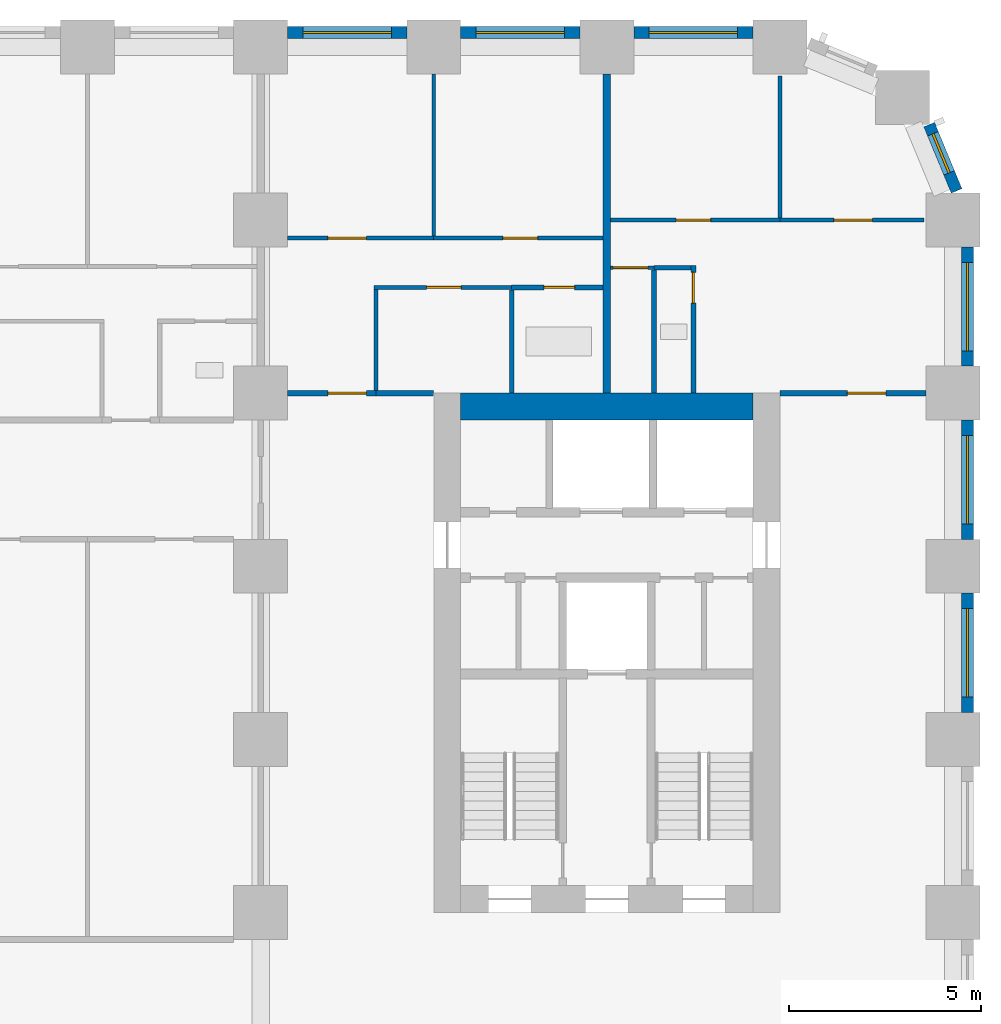
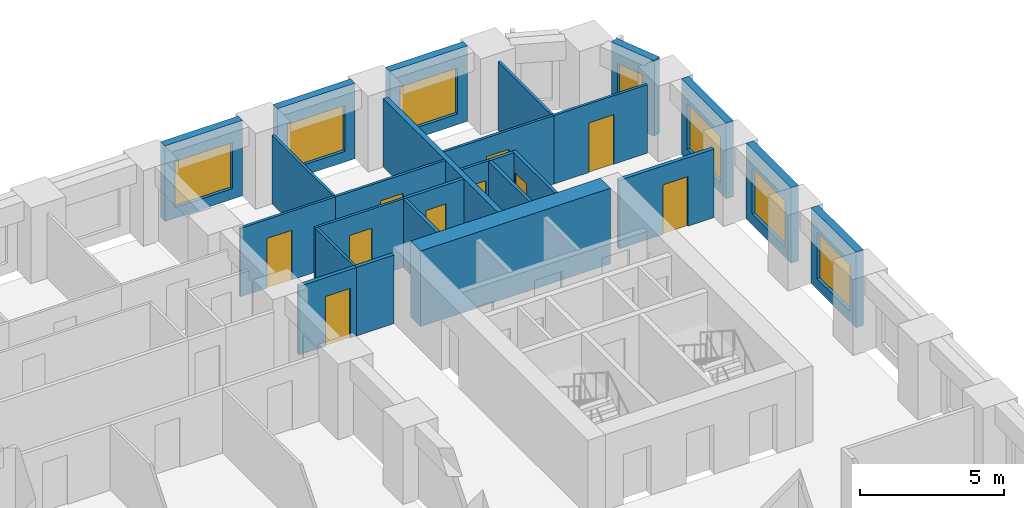
# One storey, part 9 of 13: 26 walls, 10 doors, 7 windows, 17 openings.
"""IFC4 building model written with IfcOpenShell, lengths in metres."""

from ifc_helpers import new_model, si_unit, direction, frame, frame_2d, origin, place, context, subcontext, project, spatial, rectangle, extrude, material, layer, layer_set, type_object, element, fill, save


model = new_model("IFC4")

# Units and contexts
model_context = context("Model", 3, precision=1e-05, world=origin(), true_north=direction((0.0, 1.0)))
body_context = subcontext(model_context, "Body", "Model", "MODEL_VIEW")
ifc_project = project(units=[si_unit("LENGTHUNIT", "METRE"), si_unit("AREAUNIT", "SQUARE_METRE"), si_unit("VOLUMEUNIT", "CUBIC_METRE"), si_unit("PLANEANGLEUNIT", "RADIAN"), si_unit("MASSUNIT", "GRAM", prefix="KILO")], contexts=[model_context])

# Site, building, storey
site_placement = place(None, origin())
site = spatial("IfcSite", under=ifc_project, at=site_placement, CompositionType="ELEMENT")
building_placement = place(site_placement, origin())
building = spatial("IfcBuilding", under=site, at=building_placement, Name="Girih Gate Residences", CompositionType="ELEMENT")
storey_placement = place(building_placement, frame((0.0, 0.0, 43.199951171875)))
storey = spatial("IfcBuildingStorey", under=building, at=storey_placement, Name="L10", CompositionType="ELEMENT", Elevation=43.199951171875)

# Wall, opening, door
ifc_material_1 = material(Name="Gypsum board on steel studs", Category="steel")
ifc_layer_1 = layer(ifc_material_1, 0.14990234375)
ifc_layer_set_1 = layer_set([ifc_layer_1], Name="Compartment wall 150 mm")
wall_type_1 = type_object("IfcWallType", Name="Compartment wall 150 mm", PredefinedType="PARTITIONING", material=ifc_layer_set_1)
wall_1_placement = place(storey_placement, frame((45.0, 40.5, 0.0), z_axis=(0.0, 0.0, 1.0), x_axis=(1.0, 0.0, 0.0)))
wall_1 = element("IfcWall", 1, at=wall_1_placement, inside=storey, type_object=wall_type_1, Name="L10 partition", PredefinedType="PARTITIONING", context=body_context, shape_type="SweptSolid", body=[
    extrude(rectangle(XDim=3.800048828125, YDim=0.14990234375, at=frame_2d((1.89990234375, 0.0))), origin(), (0.0, 0.0, 1.0), 2.900146484375),
])
opening_1_placement = place(wall_1_placement, frame((1.75, 0.0, 0.0)))
opening_1 = element("IfcOpeningElement", 2, at=opening_1_placement, cuts=wall_1, Name="Opening A10-032", PredefinedType="OPENING", context=body_context, shape_type="SweptSolid", body=[
    extrude(rectangle(XDim=1.0, YDim=2.10009765625, at=frame_2d((0.5, 1.050048828125))), frame((0.0, 0.0849609375, 0.0), z_axis=(0.0, -1.0, 0.0), x_axis=(1.0, 0.0, 0.0)), (0.0, 0.0, 1.0), 0.169921875),
])
ifc_material_2 = material(Name="Timber, fire-rated core", Category="wood")
door_type_1 = type_object("IfcDoorType", Name="Flat entrance door 1000x2100 FD30S", OperationType="NOTDEFINED", PredefinedType="DOOR", material=ifc_material_2)
door_1_placement = place(opening_1_placement, origin())
door_1 = element("IfcDoor", 3, at=door_1_placement, inside=storey, type_object=door_type_1, Name="Door A10-032", OperationType="SINGLE_SWING_RIGHT", OverallHeight=2.10009765625, OverallWidth=1.0, PredefinedType="DOOR", context=body_context, shape_type="SweptSolid", body=[
    extrude(rectangle(XDim=1.0, YDim=2.10009765625, at=frame_2d((0.5, 1.050048828125))), frame((0.0, 0.02490234375, 0.0), z_axis=(0.0, -1.0, 0.0), x_axis=(1.0, 0.0, 0.0)), (0.0, 0.0, 1.0), 0.050048828125),
])
fill(opening_1, door_1)

wall_2_placement = place(storey_placement, frame((32.199951171875, 40.5, 0.0), z_axis=(0.0, 0.0, 1.0), x_axis=(1.0, 0.0, 0.0)))
wall_2 = element("IfcWall", 4, at=wall_2_placement, inside=storey, type_object=wall_type_1, Name="L10 partition", PredefinedType="PARTITIONING", context=body_context, shape_type="SweptSolid", body=[
    extrude(rectangle(XDim=2.300048828125, YDim=0.14990234375, at=frame_2d((1.14990234375, 0.0))), origin(), (0.0, 0.0, 1.0), 2.900146484375),
])
opening_2_placement = place(wall_2_placement, frame((1.050048828125, 0.0, 0.0)))
opening_2 = element("IfcOpeningElement", 5, at=opening_2_placement, cuts=wall_2, Name="Opening A10-037", PredefinedType="OPENING", context=body_context, shape_type="SweptSolid", body=[
    extrude(rectangle(XDim=1.0, YDim=2.10009765625, at=frame_2d((0.5, 1.050048828125))), frame((0.0, 0.0849609375, 0.0), z_axis=(0.0, -1.0, 0.0), x_axis=(1.0, 0.0, 0.0)), (0.0, 0.0, 1.0), 0.169921875),
])
door_2_placement = place(opening_2_placement, origin())
door_2 = element("IfcDoor", 6, at=door_2_placement, inside=storey, type_object=door_type_1, Name="Door A10-037", OperationType="SINGLE_SWING_RIGHT", OverallHeight=2.10009765625, OverallWidth=1.0, PredefinedType="DOOR", context=body_context, shape_type="SweptSolid", body=[
    extrude(rectangle(XDim=1.0, YDim=2.10009765625, at=frame_2d((0.5, 1.050048828125))), frame((0.0, 0.02490234375, 0.0), z_axis=(0.0, -1.0, 0.0), x_axis=(1.0, 0.0, 0.0)), (0.0, 0.0, 1.0), 0.050048828125),
])
fill(opening_2, door_2)

# Walls
wall_3_placement = place(storey_placement, frame((34.5, 40.5, 0.0), z_axis=(0.0, 0.0, 1.0), x_axis=(1.0, 0.0, 0.0)))
element("IfcWall", 7, at=wall_3_placement, inside=storey, type_object=wall_type_1, Name="L10 partition", PredefinedType="PARTITIONING", context=body_context, shape_type="SweptSolid", body=[
    extrude(rectangle(XDim=1.5, YDim=0.14990234375, at=frame_2d((0.75, 0.0))), origin(), (0.0, 0.0, 1.0), 2.900146484375),
])
ifc_material_3 = material(Name="Concrete C60/75", Category="concrete")
ifc_layer_2 = layer(ifc_material_3, 0.699951171875)
ifc_layer_set_2 = layer_set([ifc_layer_2], Name="Core wall RC 700 Concrete C60/75")
wall_type_2 = type_object("IfcWallType", Name="Core wall RC 700 Concrete C60/75", PredefinedType="SOLIDWALL", material=ifc_layer_set_2)
wall_4_placement = place(storey_placement, frame((36.699951171875, 40.14990234375, 0.0), z_axis=(0.0, 0.0, 1.0), x_axis=(1.0, 0.0, 0.0)))
element("IfcWall", 8, at=wall_4_placement, inside=storey, type_object=wall_type_2, Name="Core wall E-N L10", PredefinedType="SOLIDWALL", context=body_context, shape_type="SweptSolid", body=[
    extrude(rectangle(XDim=7.60009765625, YDim=0.699951171875, at=frame_2d((3.800048828125, 0.0))), origin(), (0.0, 0.0, 1.0), 3.199951171875),
])

# Wall, opening, door
ifc_layer_3 = layer(ifc_material_1, 0.10009765625)
ifc_layer_set_3 = layer_set([ifc_layer_3], Name="Partition 100 mm")
wall_type_3 = type_object("IfcWallType", Name="Partition 100 mm", PredefinedType="PARTITIONING", material=ifc_layer_set_3)
wall_5_placement = place(storey_placement, frame((40.60009765625, 45.0, 0.0), z_axis=(0.0, 0.0, 1.0), x_axis=(1.0, 0.0, 0.0)))
wall_5 = element("IfcWall", 9, at=wall_5_placement, inside=storey, type_object=wall_type_3, Name="L10 partition", PredefinedType="PARTITIONING", context=body_context, shape_type="SweptSolid", body=[
    extrude(rectangle(XDim=4.39990234375, YDim=0.10009765625, at=frame_2d((2.199951171875, 0.0))), origin(), (0.0, 0.0, 1.0), 2.900146484375),
])
opening_3_placement = place(wall_5_placement, frame((1.699951171875, 0.0, 0.0)))
opening_3 = element("IfcOpeningElement", 10, at=opening_3_placement, cuts=wall_5, Name="Opening A10-029", PredefinedType="OPENING", context=body_context, shape_type="SweptSolid", body=[
    extrude(rectangle(XDim=0.89990234375, YDim=2.10009765625, at=frame_2d((0.449951171875, 1.050048828125))), frame((0.0, 0.06005859375, 0.0), z_axis=(0.0, -1.0, 0.0), x_axis=(1.0, 0.0, 0.0)), (0.0, 0.0, 1.0), 0.1201171875),
])
ifc_material_4 = material(Name="Timber", Category="wood")
door_type_2 = type_object("IfcDoorType", Name="Bedroom door 900x2100", OperationType="NOTDEFINED", PredefinedType="DOOR", material=ifc_material_4)
door_3_placement = place(opening_3_placement, origin())
door_3 = element("IfcDoor", 11, at=door_3_placement, inside=storey, type_object=door_type_2, Name="Door A10-029", OperationType="SINGLE_SWING_LEFT", OverallHeight=2.10009765625, OverallWidth=0.89990234375, PredefinedType="DOOR", context=body_context, shape_type="SweptSolid", body=[
    extrude(rectangle(XDim=0.89990234375, YDim=2.10009765625, at=frame_2d((0.449951171875, 1.050048828125))), frame((0.0, 0.02490234375, 0.0), z_axis=(0.0, -1.0, 0.0), x_axis=(1.0, 0.0, 0.0)), (0.0, 0.0, 1.0), 0.050048828125),
])
fill(opening_3, door_3)

# Wall
wall_6_placement = place(storey_placement, frame((45.0, 45.050048828125, 0.0), z_axis=(0.0, 0.0, 1.0), x_axis=(0.0, 1.0, 0.0)))
element("IfcWall", 12, at=wall_6_placement, inside=storey, type_object=wall_type_3, Name="L10 partition", PredefinedType="PARTITIONING", context=body_context, shape_type="SweptSolid", body=[
    extrude(rectangle(XDim=3.6923828125, YDim=0.10009765625, at=frame_2d((1.84619140625, 0.0))), origin(), (0.0, 0.0, 1.0), 2.900146484375),
])

# Wall, opening, door
wall_7_placement = place(storey_placement, frame((41.727294921875, 43.760009765625, 0.0), z_axis=(0.0, 0.0, 1.0), x_axis=(-1.0, 0.0, 0.0)))
wall_7 = element("IfcWall", 13, at=wall_7_placement, inside=storey, type_object=wall_type_3, Name="L10 partition", PredefinedType="PARTITIONING", context=body_context, shape_type="SweptSolid", body=[
    extrude(rectangle(XDim=1.127197265625, YDim=0.10009765625, at=frame_2d((0.5634765625, 0.0))), origin(), (0.0, 0.0, 1.0), 2.900146484375),
])
opening_4_placement = place(wall_7_placement, frame((0.16357421875, 0.0, 0.0)))
opening_4 = element("IfcOpeningElement", 14, at=opening_4_placement, cuts=wall_7, Name="Opening A10-030", PredefinedType="OPENING", context=body_context, shape_type="SweptSolid", body=[
    extrude(rectangle(XDim=0.89990234375, YDim=2.10009765625, at=frame_2d((0.449951171875, 1.050048828125))), frame((0.0, 0.06005859375, 0.0), z_axis=(0.0, -1.0, 0.0), x_axis=(1.0, 0.0, 0.0)), (0.0, 0.0, 1.0), 0.1201171875),
])
door_type_3 = type_object("IfcDoorType", Name="Kitchen door 900x2100", OperationType="NOTDEFINED", PredefinedType="DOOR", material=ifc_material_4)
door_4_placement = place(opening_4_placement, origin())
door_4 = element("IfcDoor", 15, at=door_4_placement, inside=storey, type_object=door_type_3, Name="Door A10-030", OperationType="SINGLE_SWING_RIGHT", OverallHeight=2.10009765625, OverallWidth=0.89990234375, PredefinedType="DOOR", context=body_context, shape_type="SweptSolid", body=[
    extrude(rectangle(XDim=0.89990234375, YDim=2.10009765625, at=frame_2d((0.449951171875, 1.050048828125))), frame((0.0, 0.02490234375, 0.0), z_axis=(0.0, -1.0, 0.0), x_axis=(1.0, 0.0, 0.0)), (0.0, 0.0, 1.0), 0.050048828125),
])
fill(opening_4, door_4)

wall_8_placement = place(storey_placement, frame((45.0, 45.0, 0.0), z_axis=(0.0, 0.0, 1.0), x_axis=(1.0, 0.0, 0.0)))
wall_8 = element("IfcWall", 16, at=wall_8_placement, inside=storey, type_object=wall_type_3, Name="L10 partition", PredefinedType="PARTITIONING", context=body_context, shape_type="SweptSolid", body=[
    extrude(rectangle(XDim=3.742431640625, YDim=0.10009765625, at=frame_2d((1.87109375, 0.0))), origin(), (0.0, 0.0, 1.0), 2.900146484375),
])
opening_5_placement = place(wall_8_placement, frame((1.39990234375, 0.0, 0.0)))
opening_5 = element("IfcOpeningElement", 17, at=opening_5_placement, cuts=wall_8, Name="Opening A10-031", PredefinedType="OPENING", context=body_context, shape_type="SweptSolid", body=[
    extrude(rectangle(XDim=1.0, YDim=2.10009765625, at=frame_2d((0.5, 1.050048828125))), frame((0.0, 0.06005859375, 0.0), z_axis=(0.0, -1.0, 0.0), x_axis=(1.0, 0.0, 0.0)), (0.0, 0.0, 1.0), 0.1201171875),
])
door_type_4 = type_object("IfcDoorType", Name="Living room door 1000x2100", OperationType="NOTDEFINED", PredefinedType="DOOR", material=ifc_material_4)
door_5_placement = place(opening_5_placement, origin())
door_5 = element("IfcDoor", 18, at=door_5_placement, inside=storey, type_object=door_type_4, Name="Door A10-031", OperationType="SINGLE_SWING_RIGHT", OverallHeight=2.10009765625, OverallWidth=1.0, PredefinedType="DOOR", context=body_context, shape_type="SweptSolid", body=[
    extrude(rectangle(XDim=1.0, YDim=2.10009765625, at=frame_2d((0.5, 1.050048828125))), frame((0.0, 0.02490234375, 0.0), z_axis=(0.0, -1.0, 0.0), x_axis=(1.0, 0.0, 0.0)), (0.0, 0.0, 1.0), 0.050048828125),
])
fill(opening_5, door_5)

wall_9_placement = place(storey_placement, frame((36.0, 44.530029296875, 0.0), z_axis=(0.0, 0.0, 1.0), x_axis=(1.0, 0.0, 0.0)))
wall_9 = element("IfcWall", 19, at=wall_9_placement, inside=storey, type_object=wall_type_3, Name="L10 partition", PredefinedType="PARTITIONING", context=body_context, shape_type="SweptSolid", body=[
    extrude(rectangle(XDim=4.39990234375, YDim=0.10009765625, at=frame_2d((2.199951171875, 0.0))), origin(), (0.0, 0.0, 1.0), 2.900146484375),
])
opening_6_placement = place(wall_9_placement, frame((1.800048828125, 0.0, 0.0)))
opening_6 = element("IfcOpeningElement", 20, at=opening_6_placement, cuts=wall_9, Name="Opening A10-034", PredefinedType="OPENING", context=body_context, shape_type="SweptSolid", body=[
    extrude(rectangle(XDim=0.89990234375, YDim=2.10009765625, at=frame_2d((0.449951171875, 1.050048828125))), frame((0.0, 0.06005859375, 0.0), z_axis=(0.0, -1.0, 0.0), x_axis=(1.0, 0.0, 0.0)), (0.0, 0.0, 1.0), 0.1201171875),
])
door_6_placement = place(opening_6_placement, origin())
door_6 = element("IfcDoor", 21, at=door_6_placement, inside=storey, type_object=door_type_2, Name="Door A10-034", OperationType="SINGLE_SWING_RIGHT", OverallHeight=2.10009765625, OverallWidth=0.89990234375, PredefinedType="DOOR", context=body_context, shape_type="SweptSolid", body=[
    extrude(rectangle(XDim=0.89990234375, YDim=2.10009765625, at=frame_2d((0.449951171875, 1.050048828125))), frame((0.0, 0.02490234375, 0.0), z_axis=(0.0, -1.0, 0.0), x_axis=(1.0, 0.0, 0.0)), (0.0, 0.0, 1.0), 0.050048828125),
])
fill(opening_6, door_6)

# Wall
wall_10_placement = place(storey_placement, frame((36.0, 44.580078125, 0.0), z_axis=(0.0, 0.0, 1.0), x_axis=(0.0, 1.0, 0.0)))
element("IfcWall", 22, at=wall_10_placement, inside=storey, type_object=wall_type_3, Name="L10 partition", PredefinedType="PARTITIONING", context=body_context, shape_type="SweptSolid", body=[
    extrude(rectangle(XDim=4.219970703125, YDim=0.10009765625, at=frame_2d((2.10986328125, 0.0))), origin(), (0.0, 0.0, 1.0), 2.900146484375),
])

# Wall, opening, door
wall_11_placement = place(storey_placement, frame((38.026611328125, 43.25, 0.0), z_axis=(0.0, 0.0, 1.0), x_axis=(-1.0, 0.0, 0.0)))
wall_11 = element("IfcWall", 23, at=wall_11_placement, inside=storey, type_object=wall_type_3, Name="L10 partition", PredefinedType="PARTITIONING", context=body_context, shape_type="SweptSolid", body=[
    extrude(rectangle(XDim=3.57666015625, YDim=0.10009765625, at=frame_2d((1.788330078125, 0.0))), origin(), (0.0, 0.0, 1.0), 2.900146484375),
])
opening_7_placement = place(wall_11_placement, frame((1.313232421875, 0.0, 0.0)))
opening_7 = element("IfcOpeningElement", 24, at=opening_7_placement, cuts=wall_11, Name="Opening A10-035", PredefinedType="OPENING", context=body_context, shape_type="SweptSolid", body=[
    extrude(rectangle(XDim=0.89990234375, YDim=2.10009765625, at=frame_2d((0.449951171875, 1.050048828125))), frame((0.0, 0.06005859375, 0.0), z_axis=(0.0, -1.0, 0.0), x_axis=(1.0, 0.0, 0.0)), (0.0, 0.0, 1.0), 0.1201171875),
])
door_7_placement = place(opening_7_placement, origin())
door_7 = element("IfcDoor", 25, at=door_7_placement, inside=storey, type_object=door_type_3, Name="Door A10-035", OperationType="SINGLE_SWING_LEFT", OverallHeight=2.10009765625, OverallWidth=0.89990234375, PredefinedType="DOOR", context=body_context, shape_type="SweptSolid", body=[
    extrude(rectangle(XDim=0.89990234375, YDim=2.10009765625, at=frame_2d((0.449951171875, 1.050048828125))), frame((0.0, 0.02490234375, 0.0), z_axis=(0.0, -1.0, 0.0), x_axis=(1.0, 0.0, 0.0)), (0.0, 0.0, 1.0), 0.050048828125),
])
fill(opening_7, door_7)

# Wall
wall_12_placement = place(storey_placement, frame((34.5, 40.574951171875, 0.0), z_axis=(0.0, 0.0, 1.0), x_axis=(0.0, 1.0, 0.0)))
element("IfcWall", 26, at=wall_12_placement, inside=storey, type_object=wall_type_3, Name="L10 partition", PredefinedType="PARTITIONING", context=body_context, shape_type="SweptSolid", body=[
    extrude(rectangle(XDim=2.625, YDim=0.10009765625, at=frame_2d((1.3125, 0.0))), origin(), (0.0, 0.0, 1.0), 2.900146484375),
])

# Wall, opening, door
wall_13_placement = place(storey_placement, frame((32.199951171875, 44.530029296875, 0.0), z_axis=(0.0, 0.0, 1.0), x_axis=(1.0, 0.0, 0.0)))
wall_13 = element("IfcWall", 27, at=wall_13_placement, inside=storey, type_object=wall_type_3, Name="L10 partition", PredefinedType="PARTITIONING", context=body_context, shape_type="SweptSolid", body=[
    extrude(rectangle(XDim=3.800048828125, YDim=0.10009765625, at=frame_2d((1.89990234375, 0.0))), origin(), (0.0, 0.0, 1.0), 2.900146484375),
])
opening_8_placement = place(wall_13_placement, frame((1.050048828125, 0.0, 0.0)))
opening_8 = element("IfcOpeningElement", 28, at=opening_8_placement, cuts=wall_13, Name="Opening A10-036", PredefinedType="OPENING", context=body_context, shape_type="SweptSolid", body=[
    extrude(rectangle(XDim=1.0, YDim=2.10009765625, at=frame_2d((0.5, 1.050048828125))), frame((0.0, 0.06005859375, 0.0), z_axis=(0.0, -1.0, 0.0), x_axis=(1.0, 0.0, 0.0)), (0.0, 0.0, 1.0), 0.1201171875),
])
door_8_placement = place(opening_8_placement, origin())
door_8 = element("IfcDoor", 29, at=door_8_placement, inside=storey, type_object=door_type_4, Name="Door A10-036", OperationType="SINGLE_SWING_LEFT", OverallHeight=2.10009765625, OverallWidth=1.0, PredefinedType="DOOR", context=body_context, shape_type="SweptSolid", body=[
    extrude(rectangle(XDim=1.0, YDim=2.10009765625, at=frame_2d((0.5, 1.050048828125))), frame((0.0, 0.02490234375, 0.0), z_axis=(0.0, -1.0, 0.0), x_axis=(1.0, 0.0, 0.0)), (0.0, 0.0, 1.0), 0.050048828125),
])
fill(opening_8, door_8)

# Wall
ifc_layer_4 = layer(ifc_material_1, 0.199951171875)
ifc_layer_set_4 = layer_set([ifc_layer_4], Name="Party wall 200 mm")
wall_type_4 = type_object("IfcWallType", Name="Party wall 200 mm", PredefinedType="PARTITIONING", material=ifc_layer_set_4)
wall_14_placement = place(storey_placement, frame((40.5, 40.5, 0.0), z_axis=(0.0, 0.0, 1.0), x_axis=(0.0, 1.0, 0.0)))
element("IfcWall", 30, at=wall_14_placement, inside=storey, type_object=wall_type_4, Name="L10 partition", PredefinedType="PARTITIONING", context=body_context, shape_type="SweptSolid", body=[
    extrude(rectangle(XDim=8.300048828125, YDim=0.199951171875, at=frame_2d((4.14990234375, 0.0))), origin(), (0.0, 0.0, 1.0), 2.900146484375),
])

# Wall, opening, window
ifc_material_5 = material(Name="Precast concrete C50/60", Category="concrete")
ifc_layer_5 = layer(ifc_material_5, 0.080078125, Name="Outer leaf")
ifc_material_6 = material(Name="Rigid PIR insulation")
ifc_layer_6 = layer(ifc_material_6, 0.14990234375, Name="Insulation")
ifc_material_7 = material(Name="Precast concrete C40/50", Category="concrete")
ifc_layer_7 = layer(ifc_material_7, 0.070068359375, Name="Inner leaf")
ifc_layer_set_5 = layer_set([ifc_layer_5, ifc_layer_6, ifc_layer_7], Name="Precast concrete C50/60 external wall 300")
wall_type_5 = type_object("IfcWallType", Name="Precast concrete C50/60 external wall 300", PredefinedType="SOLIDWALL", material=ifc_layer_set_5)
wall_15_placement = place(storey_placement, frame((49.875, 35.300048828125, 0.0), z_axis=(0.0, 0.0, 1.0), x_axis=(0.0, -1.0, 0.0)))
wall_15 = element("IfcWall", 31, at=wall_15_placement, inside=storey, type_object=wall_type_5, Name="External wall E0495_0045.6", PredefinedType="SOLIDWALL", context=body_context, shape_type="SweptSolid", body=[
    extrude(rectangle(XDim=3.10009765625, YDim=0.300048828125, at=frame_2d((1.550048828125, 0.0))), origin(), (0.0, 0.0, 1.0), 3.199951171875),
])
opening_9_placement = place(wall_15_placement, frame((0.39990234375, 0.0, 0.449951171875)))
opening_9 = element("IfcOpeningElement", 32, at=opening_9_placement, cuts=wall_15, Name="Opening W-1", PredefinedType="OPENING", context=body_context, shape_type="SweptSolid", body=[
    extrude(rectangle(XDim=2.300048828125, YDim=1.949951171875, at=frame_2d((1.14990234375, 0.97509765625))), frame((0.0, 0.159912109375, 0.0), z_axis=(0.0, -1.0, 0.0), x_axis=(1.0, 0.0, 0.0)), (0.0, 0.0, 1.0), 0.320068359375),
])
ifc_material_8 = material(Name="Double glazing in aluminium frame", Category="aluminium")
window_type_1 = type_object("IfcWindowType", Name="Window W-1 2300x1950", PartitioningType="SINGLE_PANEL", PredefinedType="WINDOW", material=ifc_material_8)
window_1_placement = place(opening_9_placement, origin())
window_1 = element("IfcWindow", 33, at=window_1_placement, inside=storey, type_object=window_type_1, Name="Window W-1 E0495_0045.6", OverallHeight=1.949951171875, OverallWidth=2.300048828125, PartitioningType="SINGLE_PANEL", PredefinedType="WINDOW", context=body_context, shape_type="SweptSolid", body=[
    extrude(rectangle(XDim=2.300048828125, YDim=1.949951171875, at=frame_2d((1.14990234375, 0.97509765625))), frame((0.0, 0.030029296875, 0.0), z_axis=(0.0, -1.0, 0.0), x_axis=(1.0, 0.0, 0.0)), (0.0, 0.0, 1.0), 0.06005859375),
])
fill(opening_9, window_1)

wall_16_placement = place(storey_placement, frame((49.875, 39.800048828125, 0.0), z_axis=(0.0, 0.0, 1.0), x_axis=(0.0, -1.0, 0.0)))
wall_16 = element("IfcWall", 34, at=wall_16_placement, inside=storey, type_object=wall_type_5, Name="External wall E0495_0045.7", PredefinedType="SOLIDWALL", context=body_context, shape_type="SweptSolid", body=[
    extrude(rectangle(XDim=3.10009765625, YDim=0.300048828125, at=frame_2d((1.550048828125, 0.0))), origin(), (0.0, 0.0, 1.0), 3.199951171875),
])
opening_10_placement = place(wall_16_placement, frame((0.39990234375, 0.0, 0.449951171875)))
opening_10 = element("IfcOpeningElement", 35, at=opening_10_placement, cuts=wall_16, Name="Opening W-1", PredefinedType="OPENING", context=body_context, shape_type="SweptSolid", body=[
    extrude(rectangle(XDim=2.300048828125, YDim=1.949951171875, at=frame_2d((1.14990234375, 0.97509765625))), frame((0.0, 0.159912109375, 0.0), z_axis=(0.0, -1.0, 0.0), x_axis=(1.0, 0.0, 0.0)), (0.0, 0.0, 1.0), 0.320068359375),
])
window_2_placement = place(opening_10_placement, origin())
window_2 = element("IfcWindow", 36, at=window_2_placement, inside=storey, type_object=window_type_1, Name="Window W-1 E0495_0045.7", OverallHeight=1.949951171875, OverallWidth=2.300048828125, PartitioningType="SINGLE_PANEL", PredefinedType="WINDOW", context=body_context, shape_type="SweptSolid", body=[
    extrude(rectangle(XDim=2.300048828125, YDim=1.949951171875, at=frame_2d((1.14990234375, 0.97509765625))), frame((0.0, 0.030029296875, 0.0), z_axis=(0.0, -1.0, 0.0), x_axis=(1.0, 0.0, 0.0)), (0.0, 0.0, 1.0), 0.06005859375),
])
fill(opening_10, window_2)

wall_17_placement = place(storey_placement, frame((49.875, 44.300048828125, 0.0), z_axis=(0.0, 0.0, 1.0), x_axis=(0.0, -1.0, 0.0)))
wall_17 = element("IfcWall", 37, at=wall_17_placement, inside=storey, type_object=wall_type_5, Name="External wall E0495_0045.8", PredefinedType="SOLIDWALL", context=body_context, shape_type="SweptSolid", body=[
    extrude(rectangle(XDim=3.10009765625, YDim=0.300048828125, at=frame_2d((1.550048828125, 0.0))), origin(), (0.0, 0.0, 1.0), 3.199951171875),
])
opening_11_placement = place(wall_17_placement, frame((0.39990234375, 0.0, 0.449951171875)))
opening_11 = element("IfcOpeningElement", 38, at=opening_11_placement, cuts=wall_17, Name="Opening W-1", PredefinedType="OPENING", context=body_context, shape_type="SweptSolid", body=[
    extrude(rectangle(XDim=2.300048828125, YDim=1.949951171875, at=frame_2d((1.14990234375, 0.97509765625))), frame((0.0, 0.159912109375, 0.0), z_axis=(0.0, -1.0, 0.0), x_axis=(1.0, 0.0, 0.0)), (0.0, 0.0, 1.0), 0.320068359375),
])
window_3_placement = place(opening_11_placement, origin())
window_3 = element("IfcWindow", 39, at=window_3_placement, inside=storey, type_object=window_type_1, Name="Window W-1 E0495_0045.8", OverallHeight=1.949951171875, OverallWidth=2.300048828125, PartitioningType="SINGLE_PANEL", PredefinedType="WINDOW", context=body_context, shape_type="SweptSolid", body=[
    extrude(rectangle(XDim=2.300048828125, YDim=1.949951171875, at=frame_2d((1.14990234375, 0.97509765625))), frame((0.0, 0.030029296875, 0.0), z_axis=(0.0, -1.0, 0.0), x_axis=(1.0, 0.0, 0.0)), (0.0, 0.0, 1.0), 0.06005859375),
])
fill(opening_11, window_3)

wall_18_placement = place(storey_placement, frame((48.87841796875, 47.48046875, 0.0), z_axis=(0.0, 0.0, 1.0), x_axis=(0.38262540684, -0.923903565336, 0.0)))
wall_18 = element("IfcWall", 40, at=wall_18_placement, inside=storey, type_object=wall_type_5, Name="External wall NE0495_0450.0", PredefinedType="SOLIDWALL", context=body_context, shape_type="SweptSolid", body=[
    extrude(rectangle(XDim=1.864990234375, YDim=0.300048828125, at=frame_2d((0.9326171875, 0.0))), origin(), (0.0, 0.0, 1.0), 3.199951171875),
])
opening_12_placement = place(wall_18_placement, frame((0.257568359375, 0.0, 0.449951171875)))
opening_12 = element("IfcOpeningElement", 41, at=opening_12_placement, cuts=wall_18, Name="Opening W-2C", PredefinedType="OPENING", context=body_context, shape_type="SweptSolid", body=[
    extrude(rectangle(XDim=1.10009765625, YDim=1.949951171875, at=frame_2d((0.550048828125, 0.97509765625))), frame((0.0, 0.159912109375, 0.0), z_axis=(0.0, -1.0, 0.0), x_axis=(1.0, 0.0, 0.0)), (0.0, 0.0, 1.0), 0.320068359375),
])
window_type_2 = type_object("IfcWindowType", Name="Window W-2C 1100x1950", PartitioningType="SINGLE_PANEL", PredefinedType="WINDOW", material=ifc_material_8)
window_4_placement = place(opening_12_placement, origin())
window_4 = element("IfcWindow", 42, at=window_4_placement, inside=storey, type_object=window_type_2, Name="Window W-2C NE0495_0450.0", OverallHeight=1.949951171875, OverallWidth=1.10009765625, PartitioningType="SINGLE_PANEL", PredefinedType="WINDOW", context=body_context, shape_type="SweptSolid", body=[
    extrude(rectangle(XDim=1.10009765625, YDim=1.949951171875, at=frame_2d((0.550048828125, 0.97509765625))), frame((0.0, 0.030029296875, 0.0), z_axis=(0.0, -1.0, 0.0), x_axis=(1.0, 0.0, 0.0)), (0.0, 0.0, 1.0), 0.06005859375),
])
fill(opening_12, window_4)

wall_19_placement = place(storey_placement, frame((41.199951171875, 49.875, 0.0), z_axis=(0.0, 0.0, 1.0), x_axis=(1.0, 0.0, 0.0)))
wall_19 = element("IfcWall", 43, at=wall_19_placement, inside=storey, type_object=wall_type_5, Name="External wall N0450_0495.0", PredefinedType="SOLIDWALL", context=body_context, shape_type="SweptSolid", body=[
    extrude(rectangle(XDim=3.10009765625, YDim=0.300048828125, at=frame_2d((1.550048828125, 0.0))), origin(), (0.0, 0.0, 1.0), 3.199951171875),
])
opening_13_placement = place(wall_19_placement, frame((0.39990234375, 0.0, 0.449951171875)))
opening_13 = element("IfcOpeningElement", 44, at=opening_13_placement, cuts=wall_19, Name="Opening W-1", PredefinedType="OPENING", context=body_context, shape_type="SweptSolid", body=[
    extrude(rectangle(XDim=2.300048828125, YDim=1.949951171875, at=frame_2d((1.14990234375, 0.97509765625))), frame((0.0, 0.159912109375, 0.0), z_axis=(0.0, -1.0, 0.0), x_axis=(1.0, 0.0, 0.0)), (0.0, 0.0, 1.0), 0.320068359375),
])
window_5_placement = place(opening_13_placement, origin())
window_5 = element("IfcWindow", 45, at=window_5_placement, inside=storey, type_object=window_type_1, Name="Window W-1 N0450_0495.0", OverallHeight=1.949951171875, OverallWidth=2.300048828125, PartitioningType="SINGLE_PANEL", PredefinedType="WINDOW", context=body_context, shape_type="SweptSolid", body=[
    extrude(rectangle(XDim=2.300048828125, YDim=1.949951171875, at=frame_2d((1.14990234375, 0.97509765625))), frame((0.0, 0.030029296875, 0.0), z_axis=(0.0, -1.0, 0.0), x_axis=(1.0, 0.0, 0.0)), (0.0, 0.0, 1.0), 0.06005859375),
])
fill(opening_13, window_5)

wall_20_placement = place(storey_placement, frame((36.699951171875, 49.875, 0.0), z_axis=(0.0, 0.0, 1.0), x_axis=(1.0, 0.0, 0.0)))
wall_20 = element("IfcWall", 46, at=wall_20_placement, inside=storey, type_object=wall_type_5, Name="External wall N0450_0495.1", PredefinedType="SOLIDWALL", context=body_context, shape_type="SweptSolid", body=[
    extrude(rectangle(XDim=3.10009765625, YDim=0.300048828125, at=frame_2d((1.550048828125, 0.0))), origin(), (0.0, 0.0, 1.0), 3.199951171875),
])
opening_14_placement = place(wall_20_placement, frame((0.39990234375, 0.0, 0.449951171875)))
opening_14 = element("IfcOpeningElement", 47, at=opening_14_placement, cuts=wall_20, Name="Opening W-1", PredefinedType="OPENING", context=body_context, shape_type="SweptSolid", body=[
    extrude(rectangle(XDim=2.300048828125, YDim=1.949951171875, at=frame_2d((1.14990234375, 0.97509765625))), frame((0.0, 0.159912109375, 0.0), z_axis=(0.0, -1.0, 0.0), x_axis=(1.0, 0.0, 0.0)), (0.0, 0.0, 1.0), 0.320068359375),
])
window_6_placement = place(opening_14_placement, origin())
window_6 = element("IfcWindow", 48, at=window_6_placement, inside=storey, type_object=window_type_1, Name="Window W-1 N0450_0495.1", OverallHeight=1.949951171875, OverallWidth=2.300048828125, PartitioningType="SINGLE_PANEL", PredefinedType="WINDOW", context=body_context, shape_type="SweptSolid", body=[
    extrude(rectangle(XDim=2.300048828125, YDim=1.949951171875, at=frame_2d((1.14990234375, 0.97509765625))), frame((0.0, 0.030029296875, 0.0), z_axis=(0.0, -1.0, 0.0), x_axis=(1.0, 0.0, 0.0)), (0.0, 0.0, 1.0), 0.06005859375),
])
fill(opening_14, window_6)

wall_21_placement = place(storey_placement, frame((32.199951171875, 49.875, 0.0), z_axis=(0.0, 0.0, 1.0), x_axis=(1.0, 0.0, 0.0)))
wall_21 = element("IfcWall", 49, at=wall_21_placement, inside=storey, type_object=wall_type_5, Name="External wall N0450_0495.2", PredefinedType="SOLIDWALL", context=body_context, shape_type="SweptSolid", body=[
    extrude(rectangle(XDim=3.10009765625, YDim=0.300048828125, at=frame_2d((1.550048828125, 0.0))), origin(), (0.0, 0.0, 1.0), 3.199951171875),
])
opening_15_placement = place(wall_21_placement, frame((0.39990234375, 0.0, 0.449951171875)))
opening_15 = element("IfcOpeningElement", 50, at=opening_15_placement, cuts=wall_21, Name="Opening W-1", PredefinedType="OPENING", context=body_context, shape_type="SweptSolid", body=[
    extrude(rectangle(XDim=2.300048828125, YDim=1.949951171875, at=frame_2d((1.14990234375, 0.97509765625))), frame((0.0, 0.159912109375, 0.0), z_axis=(0.0, -1.0, 0.0), x_axis=(1.0, 0.0, 0.0)), (0.0, 0.0, 1.0), 0.320068359375),
])
window_7_placement = place(opening_15_placement, origin())
window_7 = element("IfcWindow", 51, at=window_7_placement, inside=storey, type_object=window_type_1, Name="Window W-1 N0450_0495.2", OverallHeight=1.949951171875, OverallWidth=2.300048828125, PartitioningType="SINGLE_PANEL", PredefinedType="WINDOW", context=body_context, shape_type="SweptSolid", body=[
    extrude(rectangle(XDim=2.300048828125, YDim=1.949951171875, at=frame_2d((1.14990234375, 0.97509765625))), frame((0.0, 0.030029296875, 0.0), z_axis=(0.0, -1.0, 0.0), x_axis=(1.0, 0.0, 0.0)), (0.0, 0.0, 1.0), 0.06005859375),
])
fill(opening_15, window_7)

# Wall
ifc_layer_8 = layer(ifc_material_1, 0.125)
ifc_layer_set_6 = layer_set([ifc_layer_8], Name="Wet room wall 125 mm")
wall_type_6 = type_object("IfcWallType", Name="Wet room wall 125 mm", PredefinedType="PARTITIONING", material=ifc_layer_set_6)
wall_22_placement = place(storey_placement, frame((41.727294921875, 43.760009765625, 0.0), z_axis=(0.0, 0.0, 1.0), x_axis=(1.0, 0.0, 0.0)))
element("IfcWall", 52, at=wall_22_placement, inside=storey, type_object=wall_type_6, Name="L10 partition", PredefinedType="PARTITIONING", context=body_context, shape_type="SweptSolid", body=[
    extrude(rectangle(XDim=0.960205078125, YDim=0.125, at=frame_2d((0.47998046875, 0.0))), origin(), (0.0, 0.0, 1.0), 2.900146484375),
])

# Wall, opening, door
wall_23_placement = place(storey_placement, frame((42.75, 40.5, 0.0), z_axis=(0.0, 0.0, 1.0), x_axis=(0.0, 1.0, 0.0)))
wall_23 = element("IfcWall", 53, at=wall_23_placement, inside=storey, type_object=wall_type_6, Name="L10 partition", PredefinedType="PARTITIONING", context=body_context, shape_type="SweptSolid", body=[
    extrude(rectangle(XDim=3.322509765625, YDim=0.125, at=frame_2d((1.6611328125, 0.0))), origin(), (0.0, 0.0, 1.0), 2.900146484375),
])
opening_16_placement = place(wall_23_placement, frame((2.340087890625, 0.0, 0.0)))
opening_16 = element("IfcOpeningElement", 54, at=opening_16_placement, cuts=wall_23, Name="Opening A10-028", PredefinedType="OPENING", context=body_context, shape_type="SweptSolid", body=[
    extrude(rectangle(XDim=0.800048828125, YDim=2.10009765625, at=frame_2d((0.39990234375, 1.050048828125))), frame((0.0, 0.072509765625, 0.0), z_axis=(0.0, -1.0, 0.0), x_axis=(1.0, 0.0, 0.0)), (0.0, 0.0, 1.0), 0.14501953125),
])
door_type_5 = type_object("IfcDoorType", Name="Bathroom door 800x2100", OperationType="NOTDEFINED", PredefinedType="DOOR", material=ifc_material_4)
door_9_placement = place(opening_16_placement, origin())
door_9 = element("IfcDoor", 55, at=door_9_placement, inside=storey, type_object=door_type_5, Name="Door A10-028", OperationType="SINGLE_SWING_RIGHT", OverallHeight=2.10009765625, OverallWidth=0.800048828125, PredefinedType="DOOR", context=body_context, shape_type="SweptSolid", body=[
    extrude(rectangle(XDim=0.800048828125, YDim=2.10009765625, at=frame_2d((0.39990234375, 1.050048828125))), frame((0.0, 0.02490234375, 0.0), z_axis=(0.0, -1.0, 0.0), x_axis=(1.0, 0.0, 0.0)), (0.0, 0.0, 1.0), 0.050048828125),
])
fill(opening_16, door_9)

# Wall
wall_24_placement = place(storey_placement, frame((41.72705078125, 40.5, 0.0), z_axis=(0.0, 0.0, 1.0), x_axis=(0.0, 1.0, 0.0)))
element("IfcWall", 56, at=wall_24_placement, inside=storey, type_object=wall_type_6, Name="L10 partition", PredefinedType="PARTITIONING", context=body_context, shape_type="SweptSolid", body=[
    extrude(rectangle(XDim=3.197509765625, YDim=0.125, at=frame_2d((1.5986328125, 0.0))), origin(), (0.0, 0.0, 1.0), 2.900146484375),
])

# Wall, opening, door
wall_25_placement = place(storey_placement, frame((40.39990234375, 43.25, 0.0), z_axis=(0.0, 0.0, 1.0), x_axis=(-1.0, 0.0, 0.0)))
wall_25 = element("IfcWall", 57, at=wall_25_placement, inside=storey, type_object=wall_type_6, Name="L10 partition", PredefinedType="PARTITIONING", context=body_context, shape_type="SweptSolid", body=[
    extrude(rectangle(XDim=2.373291015625, YDim=0.125, at=frame_2d((1.1865234375, 0.0))), origin(), (0.0, 0.0, 1.0), 2.900146484375),
])
opening_17_placement = place(wall_25_placement, frame((0.73681640625, 0.0, 0.0)))
opening_17 = element("IfcOpeningElement", 58, at=opening_17_placement, cuts=wall_25, Name="Opening A10-033", PredefinedType="OPENING", context=body_context, shape_type="SweptSolid", body=[
    extrude(rectangle(XDim=0.800048828125, YDim=2.10009765625, at=frame_2d((0.39990234375, 1.050048828125))), frame((0.0, 0.072509765625, 0.0), z_axis=(0.0, -1.0, 0.0), x_axis=(1.0, 0.0, 0.0)), (0.0, 0.0, 1.0), 0.14501953125),
])
door_10_placement = place(opening_17_placement, origin())
door_10 = element("IfcDoor", 59, at=door_10_placement, inside=storey, type_object=door_type_5, Name="Door A10-033", OperationType="SINGLE_SWING_LEFT", OverallHeight=2.10009765625, OverallWidth=0.800048828125, PredefinedType="DOOR", context=body_context, shape_type="SweptSolid", body=[
    extrude(rectangle(XDim=0.800048828125, YDim=2.10009765625, at=frame_2d((0.39990234375, 1.050048828125))), frame((0.0, 0.02490234375, 0.0), z_axis=(0.0, -1.0, 0.0), x_axis=(1.0, 0.0, 0.0)), (0.0, 0.0, 1.0), 0.050048828125),
])
fill(opening_17, door_10)

# Wall
wall_26_placement = place(storey_placement, frame((38.027099609375, 40.5, 0.0), z_axis=(0.0, 0.0, 1.0), x_axis=(0.0, 1.0, 0.0)))
element("IfcWall", 60, at=wall_26_placement, inside=storey, type_object=wall_type_6, Name="L10 partition", PredefinedType="PARTITIONING", context=body_context, shape_type="SweptSolid", body=[
    extrude(rectangle(XDim=2.6875, YDim=0.125, at=frame_2d((1.34375, 0.0))), origin(), (0.0, 0.0, 1.0), 2.900146484375),
])

save(model, "model.ifc")
